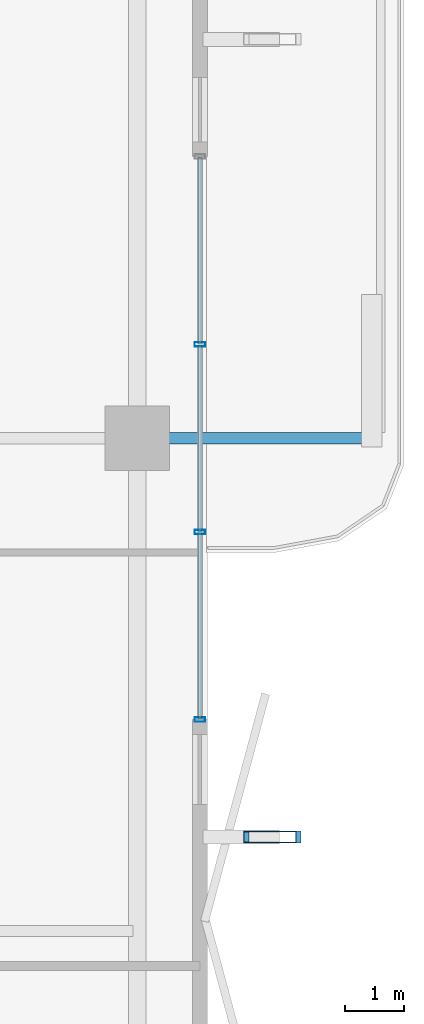
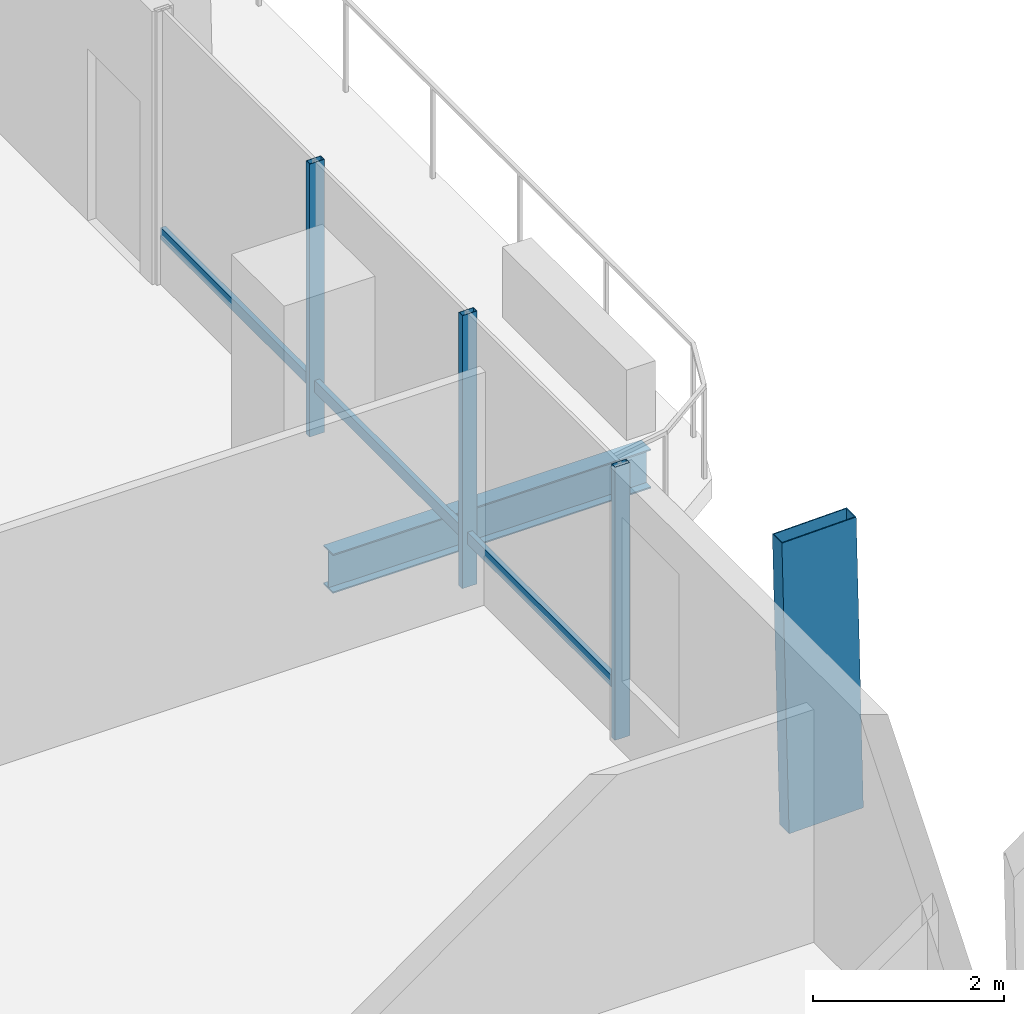
# One storey, part 10 of 25: 7 members, 1 beam, 1 element without a shape of its own.
"""IFC4 building model written with IfcOpenShell, lengths in metres."""

from ifc_helpers import new_model, si_unit, direction, frame, origin, origin_2d, place, context, subcontext, project, spatial, hollow_rectangle, i_section, extrude, material, layer, layer_set, material_profile, profile_set, type_object, element, aggregate, save


model = new_model("IFC4")

# Units and contexts
model_context = context("Model", 3, precision=1e-05, world=origin(), true_north=direction((0.0, 1.0)))
body_context = subcontext(model_context, "Body", "Model", "MODEL_VIEW")
ifc_project = project(units=[si_unit("LENGTHUNIT", "METRE"), si_unit("AREAUNIT", "SQUARE_METRE"), si_unit("VOLUMEUNIT", "CUBIC_METRE"), si_unit("PLANEANGLEUNIT", "RADIAN"), si_unit("MASSUNIT", "GRAM", prefix="KILO")], contexts=[model_context])

# Site, building, storey
site_placement = place(None, origin())
site = spatial("IfcSite", under=ifc_project, at=site_placement, CompositionType="ELEMENT")
building_placement = place(site_placement, origin())
building = spatial("IfcBuilding", under=site, at=building_placement, Name="Belovzor Exchange Tower", CompositionType="ELEMENT")
storey_placement = place(building_placement, frame((0.0, 0.0, 164.550048828125)))
storey = spatial("IfcBuildingStorey", under=building, at=storey_placement, Name="L40", CompositionType="ELEMENT", Elevation=164.550048828125)

# Beam
ifc_material_1 = material(Name="Steel S355", Category="steel")
ifc_material_profile_1 = material_profile(ifc_material_1, i_section(OverallWidth=0.199951171875, OverallDepth=0.5, WebThickness=0.01025390625, FlangeThickness=0.01611328125, at=origin_2d()))
ifc_profile_set_1 = profile_set([ifc_material_profile_1], Name="Steel S355")
beam_type = type_object("IfcBeamType", Name="Planted Balcony Cantilever Beam IPE 500", PredefinedType="BEAM", material=ifc_profile_set_1)
beam_placement = place(storey_placement, frame((52.202880859375, 28.800048828125, -0.505126953125), z_axis=(1.0, 0.0, 0.0), x_axis=(0.0, 1.0, 0.0)))
element("IfcBeam", 1, at=beam_placement, inside=storey, type_object=beam_type, Name="BC-500 Planted Balcony Cantilever Beam IPE 500", PredefinedType="BEAM", context=body_context, shape_type="SweptSolid", body=[
    extrude(i_section(OverallWidth=0.199951171875, OverallDepth=0.5, WebThickness=0.01025390625, FlangeThickness=0.01611328125, at=origin_2d()), origin(), (0.0, 0.0, 1.0), 3.85009765625),
])

# Member
ifc_material_2 = material(Name="Extruded Architectural Terracotta on Steel S355 Carrier", Category="masonry")
ifc_material_profile_2 = material_profile(ifc_material_2, hollow_rectangle(XDim=0.199951171875, YDim=0.89990234375, WallThickness=0.011962890625, at=origin_2d()))
ifc_profile_set_2 = profile_set([ifc_material_profile_2], Name="Extruded Architectural Terracotta on Steel S355 Carrier")
member_type_1 = type_object("IfcMemberType", Name="Sweeping Terracotta Baguette Fin Assembly 1250", PredefinedType="USERDEFINED", material=ifc_profile_set_2)
member_1_placement = place(storey_placement, frame((54.2470703125, 22.0, -0.255126953125), z_axis=(-0.023235912336, 0.0, 0.999730009742), x_axis=(0.0, -1.0, 0.0)))
element("IfcMember", 2, at=member_1_placement, inside=storey, type_object=member_type_1, Name="FIN-TC125 Terracotta Facade Fin L40 E2", ObjectType="FIN", PredefinedType="USERDEFINED", context=body_context, shape_type="SweptSolid", body=[
    extrude(hollow_rectangle(XDim=0.199951171875, YDim=0.89990234375, WallThickness=0.011962890625, at=origin_2d()), origin(), (0.0, 0.0, 1.0), 3.7509765625),
])

# Curtain wall, members
ifc_material_3 = material(Name="Anodised Aluminium Framing", Category="aluminium")
ifc_layer = layer(ifc_material_3, 0.179931640625)
ifc_layer_set = layer_set([ifc_layer], Name="Anodised Aluminium Framing")
curtain_wall_type = type_object("IfcCurtainWallType", Name="Recessed Loggia Low-Iron Triple-Glazed Curtain Wall", PredefinedType="NOTDEFINED", material=ifc_layer_set)
curtain_wall_placement = place(storey_placement, origin())
curtain_wall = element("IfcCurtainWall", 3, at=curtain_wall_placement, inside=storey, type_object=curtain_wall_type, Name="CW3 Recessed Loggia Low-Iron Triple-Glazed Curtain Wall L40", PredefinedType="NOTDEFINED")
ifc_material_4 = material(Name="Steel S355", Category="steel")
ifc_material_profile_3 = material_profile(ifc_material_4, hollow_rectangle(XDim=0.074951171875, YDim=0.179931640625, WallThickness=0.0048828125, at=origin_2d()))
ifc_profile_set_3 = profile_set([ifc_material_profile_3], Name="Steel S355")
member_type_2 = type_object("IfcMemberType", Name="Thermally Broken Curtain Wall Mullion 180x75", PredefinedType="MULLION", material=ifc_profile_set_3)
member_2_placement = place(storey_placement, frame((52.969970703125, 30.39990234375, 0.0), z_axis=(0.0, 0.0, 1.0), x_axis=(0.0, -1.0, 0.0)))
member_2 = element("IfcMember", 4, at=member_2_placement, type_object=member_type_2, Name="CW-M180 Curtain Wall Mullion 2", PredefinedType="MULLION", context=body_context, shape_type="SweptSolid", body=[
    extrude(hollow_rectangle(XDim=0.074951171875, YDim=0.179931640625, WallThickness=0.0048828125, at=origin_2d()), origin(), (0.0, 0.0, 1.0), 3.494873046875),
])
member_3_placement = place(storey_placement, frame((52.969970703125, 27.199951171875, 0.0), z_axis=(0.0, 0.0, 1.0), x_axis=(0.0, -1.0, 0.0)))
member_3 = element("IfcMember", 5, at=member_3_placement, type_object=member_type_2, Name="CW-M180 Curtain Wall Mullion 3", PredefinedType="MULLION", context=body_context, shape_type="SweptSolid", body=[
    extrude(hollow_rectangle(XDim=0.074951171875, YDim=0.179931640625, WallThickness=0.0048828125, at=origin_2d()), origin(), (0.0, 0.0, 1.0), 3.494873046875),
])
member_4_placement = place(storey_placement, frame((52.969970703125, 24.0, 0.0), z_axis=(0.0, 0.0, 1.0), x_axis=(0.0, -1.0, 0.0)))
member_4 = element("IfcMember", 6, at=member_4_placement, type_object=member_type_2, Name="CW-M180 Curtain Wall Mullion 4", PredefinedType="MULLION", context=body_context, shape_type="SweptSolid", body=[
    extrude(hollow_rectangle(XDim=0.074951171875, YDim=0.179931640625, WallThickness=0.0048828125, at=origin_2d()), origin(), (0.0, 0.0, 1.0), 3.494873046875),
])
ifc_material_5 = material(Name="Steel S355", Category="steel")
ifc_material_profile_4 = material_profile(ifc_material_5, hollow_rectangle(XDim=0.06005859375, YDim=0.14990234375, WallThickness=0.00390625, at=origin_2d()))
ifc_profile_set_4 = profile_set([ifc_material_profile_4], Name="Steel S355")
member_type_3 = type_object("IfcMemberType", Name="Thermally Broken Curtain Wall Transom 150x60", PredefinedType="USERDEFINED", material=ifc_profile_set_4)
member_5_placement = place(storey_placement, frame((52.969970703125, 33.592041015625, 0.62890625), z_axis=(0.0, -1.0, 0.0), x_axis=(1.0, 0.0, 0.0)))
member_5 = element("IfcMember", 7, at=member_5_placement, type_object=member_type_3, Name="CW-T150 Curtain Wall Transom 1", ObjectType="TRANSOM", PredefinedType="USERDEFINED", context=body_context, shape_type="SweptSolid", body=[
    extrude(hollow_rectangle(XDim=0.06005859375, YDim=0.14990234375, WallThickness=0.00390625, at=origin_2d()), origin(), (0.0, 0.0, 1.0), 3.18408203125),
])
member_6_placement = place(storey_placement, frame((52.969970703125, 30.39208984375, 0.62890625), z_axis=(0.0, -1.0, 0.0), x_axis=(1.0, 0.0, 0.0)))
member_6 = element("IfcMember", 8, at=member_6_placement, type_object=member_type_3, Name="CW-T150 Curtain Wall Transom 2", ObjectType="TRANSOM", PredefinedType="USERDEFINED", context=body_context, shape_type="SweptSolid", body=[
    extrude(hollow_rectangle(XDim=0.06005859375, YDim=0.14990234375, WallThickness=0.00390625, at=origin_2d()), origin(), (0.0, 0.0, 1.0), 3.18408203125),
])
member_7_placement = place(storey_placement, frame((52.969970703125, 27.19189453125, 0.62890625), z_axis=(0.0, -1.0, 0.0), x_axis=(1.0, 0.0, 0.0)))
member_7 = element("IfcMember", 9, at=member_7_placement, type_object=member_type_3, Name="CW-T150 Curtain Wall Transom 3", ObjectType="TRANSOM", PredefinedType="USERDEFINED", context=body_context, shape_type="SweptSolid", body=[
    extrude(hollow_rectangle(XDim=0.06005859375, YDim=0.14990234375, WallThickness=0.00390625, at=origin_2d()), origin(), (0.0, 0.0, 1.0), 3.183837890625),
])
aggregate(curtain_wall, [member_2, member_3, member_4, member_5, member_6, member_7])

save(model, "model.ifc")
